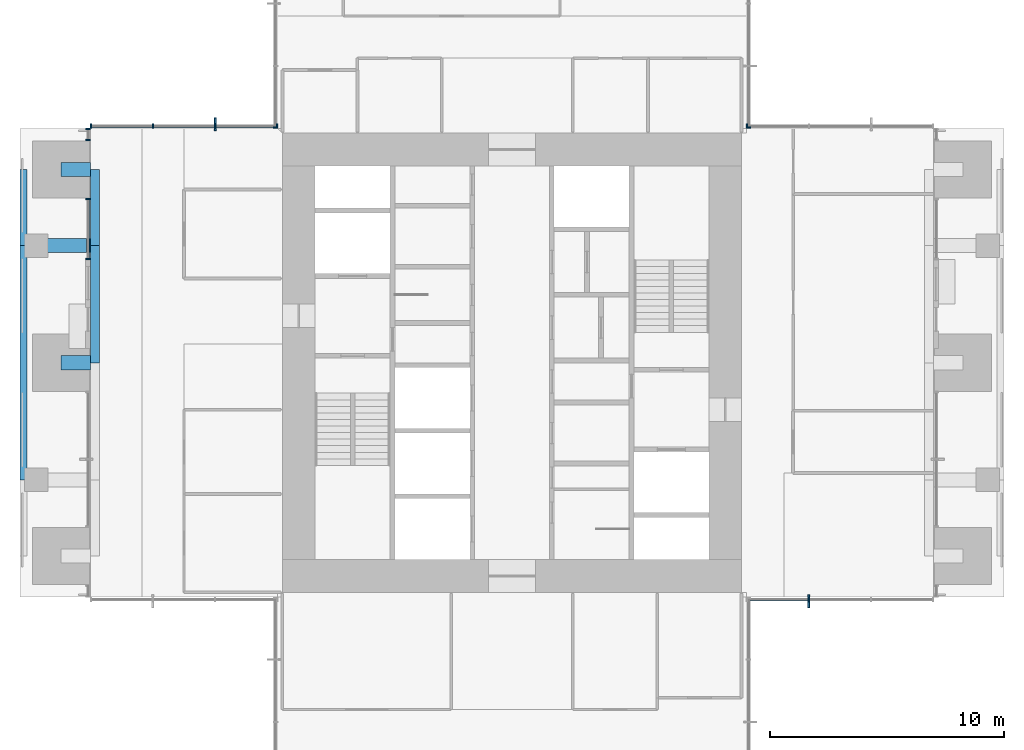
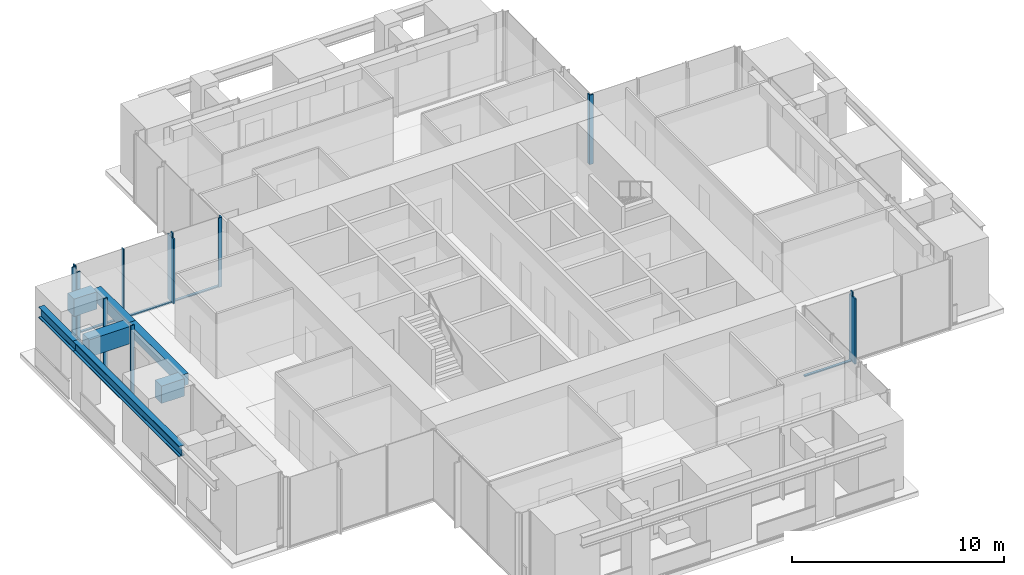
# One storey, part 3 of 17: 19 members, 7 beams, 7 elements without a shape of their own.
"""IFC4 building model written with IfcOpenShell, lengths in metres."""

from ifc_helpers import new_model, si_unit, direction, frame, origin, origin_2d, place, context, subcontext, project, spatial, rectangle, i_section, extrude, material, material_profile, profile_set, type_object, element, aggregate, save


model = new_model("IFC4")

# Units and contexts
model_context = context("Model", 3, precision=1e-05, world=origin(), true_north=direction((0.0, 1.0)))
body_context = subcontext(model_context, "Body", "Model", "MODEL_VIEW")
ifc_project = project(units=[si_unit("LENGTHUNIT", "METRE"), si_unit("AREAUNIT", "SQUARE_METRE"), si_unit("VOLUMEUNIT", "CUBIC_METRE"), si_unit("PLANEANGLEUNIT", "RADIAN"), si_unit("MASSUNIT", "GRAM", prefix="KILO")], contexts=[model_context])

# Site, building, storey
site_placement = place(None, origin())
site = spatial("IfcSite", under=ifc_project, at=site_placement, CompositionType="ELEMENT")
building_placement = place(site_placement, origin())
building = spatial("IfcBuilding", under=site, at=building_placement, Name="Svetlomir Tower", CompositionType="ELEMENT")
storey_placement = place(building_placement, frame((0.0, 0.0, 182.5)))
storey = spatial("IfcBuildingStorey", under=building, at=storey_placement, Name="L43", CompositionType="ELEMENT", Elevation=182.5)

# Curtain wall, member
ifc_material_1 = material(Name="Bronze anodised aluminium curtain wall", Category="aluminium")
curtain_wall_type = type_object("IfcCurtainWallType", Name="CURTAIN WALL CW1 TOWER OFFICE", PredefinedType="NOTDEFINED", material=ifc_material_1)
curtain_wall_1_placement = place(storey_placement, origin())
curtain_wall_1 = element("IfcCurtainWall", 1, at=curtain_wall_1_placement, inside=storey, type_object=curtain_wall_type, Name="Curtain wall CW1 L43", PredefinedType="NOTDEFINED")
ifc_material_2 = material(Name="Bronze anodised aluminium", Category="aluminium")
ifc_material_profile_1 = material_profile(ifc_material_2, rectangle(XDim=0.080078125, YDim=0.550048828125, at=origin_2d()), Name="FIN 80x550")
ifc_profile_set_1 = profile_set([ifc_material_profile_1], Name="Bronze anodised aluminium 6063-T6")
member_type_1 = type_object("IfcMemberType", Name="BRONZE FIN 80x550", PredefinedType="USERDEFINED", material=ifc_profile_set_1)
member_1_placement = place(storey_placement, frame((33.666748046875, 10.824951171875, 0.0), z_axis=(0.0, 0.0, 1.0), x_axis=(1.0, 0.0, 0.0)))
member_1 = element("IfcMember", 2, at=member_1_placement, type_object=member_type_1, Name="Bronze fin L43", ObjectType="FIN", PredefinedType="USERDEFINED", context=body_context, shape_type="SweptSolid", body=[
    extrude(rectangle(XDim=0.080078125, YDim=0.550048828125, at=origin_2d()), origin(), (0.0, 0.0, 1.0), 3.75),
])

curtain_wall_2_placement = place(storey_placement, origin())
curtain_wall_2 = element("IfcCurtainWall", 3, at=curtain_wall_2_placement, inside=storey, type_object=curtain_wall_type, Name="Curtain wall CW1 L43", PredefinedType="NOTDEFINED")
member_2_placement = place(storey_placement, frame((8.333251953125, 31.175048828125, 0.0), z_axis=(0.0, 0.0, 1.0), x_axis=(1.0, 0.0, 0.0)))
member_2 = element("IfcMember", 4, at=member_2_placement, type_object=member_type_1, Name="Bronze fin L43", ObjectType="FIN", PredefinedType="USERDEFINED", context=body_context, shape_type="SweptSolid", body=[
    extrude(rectangle(XDim=0.080078125, YDim=0.550048828125, at=origin_2d()), origin(), (0.0, 0.0, 1.0), 3.75),
])

# Member
ifc_material_3 = material(Name="Bronze anodised aluminium", Category="aluminium")
ifc_material_profile_2 = material_profile(ifc_material_3, rectangle(XDim=0.06494140625, YDim=0.199951171875, at=origin_2d()), Name="AL 65x200")
ifc_profile_set_2 = profile_set([ifc_material_profile_2], Name="Bronze anodised aluminium 6063-T6")
member_type_2 = type_object("IfcMemberType", Name="CW1 MULLION 65x200", PredefinedType="MULLION", material=ifc_profile_set_2)
member_3_placement = place(storey_placement, frame((33.666748046875, 10.89990234375, 0.0), z_axis=(0.0, 0.0, 1.0), x_axis=(1.0, 0.0, 0.0)))
member_3 = element("IfcMember", 5, at=member_3_placement, type_object=member_type_2, Name="CW1 mullion 2", PredefinedType="MULLION", context=body_context, shape_type="SweptSolid", body=[
    extrude(rectangle(XDim=0.06494140625, YDim=0.199951171875, at=origin_2d()), origin(), (0.0, 0.0, 1.0), 4.0),
])

# Curtain wall, member
curtain_wall_3_placement = place(storey_placement, origin())
curtain_wall_3 = element("IfcCurtainWall", 6, at=curtain_wall_3_placement, inside=storey, type_object=curtain_wall_type, Name="Curtain wall CW1 L43", PredefinedType="NOTDEFINED")
member_4_placement = place(storey_placement, frame((31.032470703125, 31.10009765625, 0.0), z_axis=(0.0, 0.0, 1.0), x_axis=(-1.0, 0.0, 0.0)))
member_4 = element("IfcMember", 7, at=member_4_placement, type_object=member_type_2, Name="CW1 mullion 4", PredefinedType="MULLION", context=body_context, shape_type="SweptSolid", body=[
    extrude(rectangle(XDim=0.06494140625, YDim=0.199951171875, at=origin_2d()), origin(), (0.0, 0.0, 1.0), 4.0),
])
aggregate(curtain_wall_3, [member_4])

curtain_wall_4_placement = place(storey_placement, origin())
curtain_wall_4 = element("IfcCurtainWall", 8, at=curtain_wall_4_placement, inside=storey, type_object=curtain_wall_type, Name="Curtain wall CW1 L43", PredefinedType="NOTDEFINED")
member_5_placement = place(storey_placement, frame((31.10009765625, 31.032470703125, 0.0), z_axis=(0.0, 0.0, 1.0), x_axis=(0.0, 1.0, 0.0)))
member_5 = element("IfcMember", 9, at=member_5_placement, type_object=member_type_2, Name="CW1 mullion 1", PredefinedType="MULLION", context=body_context, shape_type="SweptSolid", body=[
    extrude(rectangle(XDim=0.06494140625, YDim=0.199951171875, at=origin_2d()), origin(), (0.0, 0.0, 1.0), 4.0),
])
aggregate(curtain_wall_4, [member_5])

curtain_wall_5_placement = place(storey_placement, origin())
curtain_wall_5 = element("IfcCurtainWall", 10, at=curtain_wall_5_placement, inside=storey, type_object=curtain_wall_type, Name="Curtain wall CW1 L43", PredefinedType="NOTDEFINED")
member_6_placement = place(storey_placement, frame((10.89990234375, 31.032470703125, 0.0), z_axis=(0.0, 0.0, 1.0), x_axis=(0.0, -1.0, 0.0)))
member_6 = element("IfcMember", 11, at=member_6_placement, type_object=member_type_2, Name="CW1 mullion 4", PredefinedType="MULLION", context=body_context, shape_type="SweptSolid", body=[
    extrude(rectangle(XDim=0.06494140625, YDim=0.199951171875, at=origin_2d()), origin(), (0.0, 0.0, 1.0), 4.0),
])
aggregate(curtain_wall_5, [member_6])

# Member
member_7_placement = place(storey_placement, frame((10.967529296875, 31.10009765625, 0.0), z_axis=(0.0, 0.0, 1.0), x_axis=(-1.0, 0.0, 0.0)))
member_7 = element("IfcMember", 12, at=member_7_placement, type_object=member_type_2, Name="CW1 mullion 1", PredefinedType="MULLION", context=body_context, shape_type="SweptSolid", body=[
    extrude(rectangle(XDim=0.06494140625, YDim=0.199951171875, at=origin_2d()), origin(), (0.0, 0.0, 1.0), 4.0),
])

member_8_placement = place(storey_placement, frame((8.333251953125, 31.10009765625, 0.0), z_axis=(0.0, 0.0, 1.0), x_axis=(-1.0, 0.0, 0.0)))
member_8 = element("IfcMember", 13, at=member_8_placement, type_object=member_type_2, Name="CW1 mullion 2", PredefinedType="MULLION", context=body_context, shape_type="SweptSolid", body=[
    extrude(rectangle(XDim=0.06494140625, YDim=0.199951171875, at=origin_2d()), origin(), (0.0, 0.0, 1.0), 4.0),
])

member_9_placement = place(storey_placement, frame((5.666748046875, 31.10009765625, 0.0), z_axis=(0.0, 0.0, 1.0), x_axis=(-1.0, 0.0, 0.0)))
member_9 = element("IfcMember", 14, at=member_9_placement, type_object=member_type_2, Name="CW1 mullion 3", PredefinedType="MULLION", context=body_context, shape_type="SweptSolid", body=[
    extrude(rectangle(XDim=0.06494140625, YDim=0.199951171875, at=origin_2d()), origin(), (0.0, 0.0, 1.0), 4.0),
])

member_10_placement = place(storey_placement, frame((3.032470703125, 31.10009765625, 0.0), z_axis=(0.0, 0.0, 1.0), x_axis=(-1.0, 0.0, 0.0)))
member_10 = element("IfcMember", 15, at=member_10_placement, type_object=member_type_2, Name="CW1 mullion 4", PredefinedType="MULLION", context=body_context, shape_type="SweptSolid", body=[
    extrude(rectangle(XDim=0.06494140625, YDim=0.199951171875, at=origin_2d()), origin(), (0.0, 0.0, 1.0), 4.0),
])

# Curtain wall, members
curtain_wall_6_placement = place(storey_placement, origin())
curtain_wall_6 = element("IfcCurtainWall", 16, at=curtain_wall_6_placement, inside=storey, type_object=curtain_wall_type, Name="Curtain wall CW1 L43", PredefinedType="NOTDEFINED")
member_11_placement = place(storey_placement, frame((2.89990234375, 30.967529296875, 0.0), z_axis=(0.0, 0.0, 1.0), x_axis=(0.0, -1.0, 0.0)))
member_11 = element("IfcMember", 17, at=member_11_placement, type_object=member_type_2, Name="CW1 mullion 1", PredefinedType="MULLION", context=body_context, shape_type="SweptSolid", body=[
    extrude(rectangle(XDim=0.06494140625, YDim=0.199951171875, at=origin_2d()), origin(), (0.0, 0.0, 1.0), 4.0),
])
member_12_placement = place(storey_placement, frame((2.89990234375, 30.507568359375, 0.0), z_axis=(0.0, 0.0, 1.0), x_axis=(0.0, -1.0, 0.0)))
member_12 = element("IfcMember", 18, at=member_12_placement, type_object=member_type_2, Name="CW1 mullion 2", PredefinedType="MULLION", context=body_context, shape_type="SweptSolid", body=[
    extrude(rectangle(XDim=0.06494140625, YDim=0.199951171875, at=origin_2d()), origin(), (0.0, 0.0, 1.0), 4.0),
])
aggregate(curtain_wall_6, [member_11, member_12])

curtain_wall_7_placement = place(storey_placement, origin())
curtain_wall_7 = element("IfcCurtainWall", 19, at=curtain_wall_7_placement, inside=storey, type_object=curtain_wall_type, Name="Curtain wall CW1 L43", PredefinedType="NOTDEFINED")
member_13_placement = place(storey_placement, frame((2.89990234375, 27.992431640625, 0.0), z_axis=(0.0, 0.0, 1.0), x_axis=(0.0, -1.0, 0.0)))
member_13 = element("IfcMember", 20, at=member_13_placement, type_object=member_type_2, Name="CW1 mullion 1", PredefinedType="MULLION", context=body_context, shape_type="SweptSolid", body=[
    extrude(rectangle(XDim=0.06494140625, YDim=0.199951171875, at=origin_2d()), origin(), (0.0, 0.0, 1.0), 4.0),
])
member_14_placement = place(storey_placement, frame((2.89990234375, 25.4326171875, 0.0), z_axis=(0.0, 0.0, 1.0), x_axis=(0.0, -1.0, 0.0)))
member_14 = element("IfcMember", 21, at=member_14_placement, type_object=member_type_2, Name="CW1 mullion 2", PredefinedType="MULLION", context=body_context, shape_type="SweptSolid", body=[
    extrude(rectangle(XDim=0.06494140625, YDim=0.199951171875, at=origin_2d()), origin(), (0.0, 0.0, 1.0), 4.0),
])

# Member
ifc_material_4 = material(Name="Bronze anodised aluminium", Category="aluminium")
ifc_material_profile_3 = material_profile(ifc_material_4, rectangle(XDim=0.139892578125, YDim=0.06494140625, at=origin_2d()), Name="AL 140x65")
ifc_profile_set_3 = profile_set([ifc_material_profile_3], Name="Bronze anodised aluminium 6063-T6")
member_type_3 = type_object("IfcMemberType", Name="CW1 TRANSOM 65x140", PredefinedType="USERDEFINED", material=ifc_profile_set_3)
member_15_placement = place(storey_placement, frame((31.06494140625, 10.89990234375, 0.032470703125), z_axis=(1.0, 0.0, 0.0), x_axis=(0.0, 1.0, 0.0)))
member_15 = element("IfcMember", 22, at=member_15_placement, type_object=member_type_3, Name="CW1 transom 1.1", ObjectType="TRANSOM", PredefinedType="USERDEFINED", context=body_context, shape_type="SweptSolid", body=[
    extrude(rectangle(XDim=0.139892578125, YDim=0.06494140625, at=origin_2d()), origin(), (0.0, 0.0, 1.0), 2.5693359375),
])

aggregate(curtain_wall_1, [member_3, member_15, member_1])

member_16_placement = place(storey_placement, frame((10.93505859375, 31.10009765625, 0.032470703125), z_axis=(-1.0, 0.0, 0.0), x_axis=(0.0, -1.0, 0.0)))
member_16 = element("IfcMember", 23, at=member_16_placement, type_object=member_type_3, Name="CW1 transom 1.1", ObjectType="TRANSOM", PredefinedType="USERDEFINED", context=body_context, shape_type="SweptSolid", body=[
    extrude(rectangle(XDim=0.139892578125, YDim=0.06494140625, at=origin_2d()), origin(), (0.0, 0.0, 1.0), 2.5693359375),
])

member_17_placement = place(storey_placement, frame((8.30078125, 31.10009765625, 0.032470703125), z_axis=(-1.0, 0.0, 0.0), x_axis=(0.0, -1.0, 0.0)))
member_17 = element("IfcMember", 24, at=member_17_placement, type_object=member_type_3, Name="CW1 transom 2.1", ObjectType="TRANSOM", PredefinedType="USERDEFINED", context=body_context, shape_type="SweptSolid", body=[
    extrude(rectangle(XDim=0.139892578125, YDim=0.06494140625, at=origin_2d()), origin(), (0.0, 0.0, 1.0), 2.6015625),
])

member_18_placement = place(storey_placement, frame((5.63427734375, 31.10009765625, 0.032470703125), z_axis=(-1.0, 0.0, 0.0), x_axis=(0.0, -1.0, 0.0)))
member_18 = element("IfcMember", 25, at=member_18_placement, type_object=member_type_3, Name="CW1 transom 3.1", ObjectType="TRANSOM", PredefinedType="USERDEFINED", context=body_context, shape_type="SweptSolid", body=[
    extrude(rectangle(XDim=0.139892578125, YDim=0.06494140625, at=origin_2d()), origin(), (0.0, 0.0, 1.0), 2.5693359375),
])

aggregate(curtain_wall_2, [member_7, member_8, member_9, member_10, member_16, member_17, member_18, member_2])

member_19_placement = place(storey_placement, frame((2.89990234375, 27.9599609375, 0.032470703125), z_axis=(0.0, -1.0, 0.0), x_axis=(1.0, 0.0, 0.0)))
member_19 = element("IfcMember", 26, at=member_19_placement, type_object=member_type_3, Name="CW1 transom 1.1", ObjectType="TRANSOM", PredefinedType="USERDEFINED", context=body_context, shape_type="SweptSolid", body=[
    extrude(rectangle(XDim=0.139892578125, YDim=0.06494140625, at=origin_2d()), origin(), (0.0, 0.0, 1.0), 2.494873046875),
])

aggregate(curtain_wall_7, [member_13, member_14, member_19])

# Beams
ifc_material_5 = material(Name="Steel S355", Category="steel")
ifc_material_profile_4 = material_profile(ifc_material_5, i_section(OverallWidth=0.304931640625, OverallDepth=0.6201171875, WebThickness=0.02099609375, FlangeThickness=0.0400390625, FilletRadius=0.027099609375, at=origin_2d()), Name="HEM 600")
ifc_profile_set_4 = profile_set([ifc_material_profile_4], Name="Steel S355")
beam_type_1 = type_object("IfcBeamType", Name="EDGE BEAM HEM 600", PredefinedType="SPANDREL", material=ifc_profile_set_4)
beam_1_placement = place(storey_placement, frame((0.152587890625, 16.0, 3.43994140625), z_axis=(0.0, 1.0, 0.0), x_axis=(-1.0, 0.0, 0.0)))
element("IfcBeam", 27, at=beam_1_placement, inside=storey, type_object=beam_type_1, Name="Edge beam 0/16 to 0/26 under L44", PredefinedType="SPANDREL", context=body_context, shape_type="SweptSolid", body=[
    extrude(i_section(OverallWidth=0.304931640625, OverallDepth=0.6201171875, WebThickness=0.02099609375, FlangeThickness=0.0400390625, FilletRadius=0.027099609375, at=origin_2d()), origin(), (0.0, 0.0, 1.0), 10.0),
])
beam_2_placement = place(storey_placement, frame((0.152587890625, 26.0, 3.43994140625), z_axis=(0.0, 1.0, 0.0), x_axis=(-1.0, 0.0, 0.0)))
element("IfcBeam", 28, at=beam_2_placement, inside=storey, type_object=beam_type_1, Name="Edge beam 0/26 to 0/31 under L44", PredefinedType="SPANDREL", context=body_context, shape_type="SweptSolid", body=[
    extrude(i_section(OverallWidth=0.304931640625, OverallDepth=0.6201171875, WebThickness=0.02099609375, FlangeThickness=0.0400390625, FilletRadius=0.027099609375, at=origin_2d()), origin(), (0.0, 0.0, 1.0), 3.25),
])
ifc_material_6 = material(Name="Concrete C60/75", Category="concrete")
ifc_material_profile_5 = material_profile(ifc_material_6, rectangle(XDim=0.39990234375, YDim=0.64990234375, at=origin_2d()), Name="RC 400x650")
ifc_profile_set_5 = profile_set([ifc_material_profile_5], Name="Concrete C60/75")
beam_type_2 = type_object("IfcBeamType", Name="FACADE EDGE BEAM RC 400x650", PredefinedType="BEAM", material=ifc_profile_set_5)
beam_3_placement = place(storey_placement, frame((3.199951171875, 21.0, 3.425048828125), z_axis=(0.0, 1.0, 0.0), x_axis=(-1.0, 0.0, 0.0)))
element("IfcBeam", 29, at=beam_3_placement, inside=storey, type_object=beam_type_2, Name="Facade edge beam W 21 to 26 under L44", PredefinedType="BEAM", context=body_context, shape_type="SweptSolid", body=[
    extrude(rectangle(XDim=0.39990234375, YDim=0.64990234375, at=origin_2d()), origin(), (0.0, 0.0, 1.0), 5.0),
])
beam_4_placement = place(storey_placement, frame((3.199951171875, 26.0, 3.425048828125), z_axis=(0.0, 1.0, 0.0), x_axis=(-1.0, 0.0, 0.0)))
element("IfcBeam", 30, at=beam_4_placement, inside=storey, type_object=beam_type_2, Name="Facade edge beam W 26 to 31 under L44", PredefinedType="BEAM", context=body_context, shape_type="SweptSolid", body=[
    extrude(rectangle(XDim=0.39990234375, YDim=0.64990234375, at=origin_2d()), origin(), (0.0, 0.0, 1.0), 3.25),
])
ifc_material_7 = material(Name="Concrete C60/75", Category="concrete")
ifc_material_profile_6 = material_profile(ifc_material_7, rectangle(XDim=0.60009765625, YDim=1.0, at=origin_2d()), Name="RC 600x1000")
ifc_profile_set_6 = profile_set([ifc_material_profile_6], Name="Concrete C60/75")
beam_type_3 = type_object("IfcBeamType", Name="LOGGIA LINK BEAM RC 600x1000", PredefinedType="BEAM", material=ifc_profile_set_6)
beam_5_placement = place(storey_placement, frame((1.75, 21.0, 3.25), z_axis=(1.0, 0.0, 0.0), x_axis=(0.0, 1.0, 0.0)))
element("IfcBeam", 31, at=beam_5_placement, inside=storey, type_object=beam_type_3, Name="Loggia link beam W 21 under L44", PredefinedType="BEAM", context=body_context, shape_type="SweptSolid", body=[
    extrude(rectangle(XDim=0.60009765625, YDim=1.0, at=origin_2d()), origin(), (0.0, 0.0, 1.0), 1.25),
])
beam_6_placement = place(storey_placement, frame((0.699951171875, 26.0, 3.25), z_axis=(1.0, 0.0, 0.0), x_axis=(0.0, 1.0, 0.0)))
element("IfcBeam", 32, at=beam_6_placement, inside=storey, type_object=beam_type_3, Name="Loggia link beam W 26 under L44", PredefinedType="BEAM", context=body_context, shape_type="SweptSolid", body=[
    extrude(rectangle(XDim=0.60009765625, YDim=1.0, at=origin_2d()), origin(), (0.0, 0.0, 1.0), 2.300048828125),
])
beam_7_placement = place(storey_placement, frame((1.75, 29.25, 3.25), z_axis=(1.0, 0.0, 0.0), x_axis=(0.0, 1.0, 0.0)))
element("IfcBeam", 33, at=beam_7_placement, inside=storey, type_object=beam_type_3, Name="Loggia link beam W 31 under L44", PredefinedType="BEAM", context=body_context, shape_type="SweptSolid", body=[
    extrude(rectangle(XDim=0.60009765625, YDim=1.0, at=origin_2d()), origin(), (0.0, 0.0, 1.0), 1.25),
])

save(model, "model.ifc")
